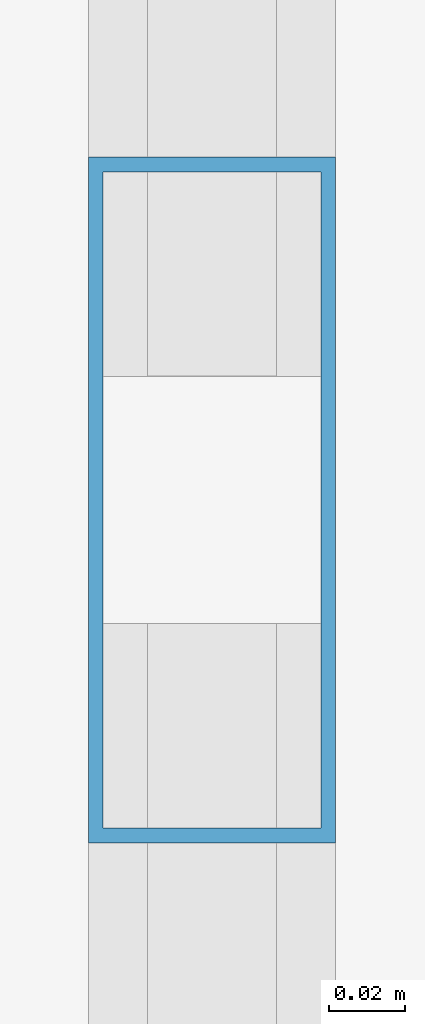
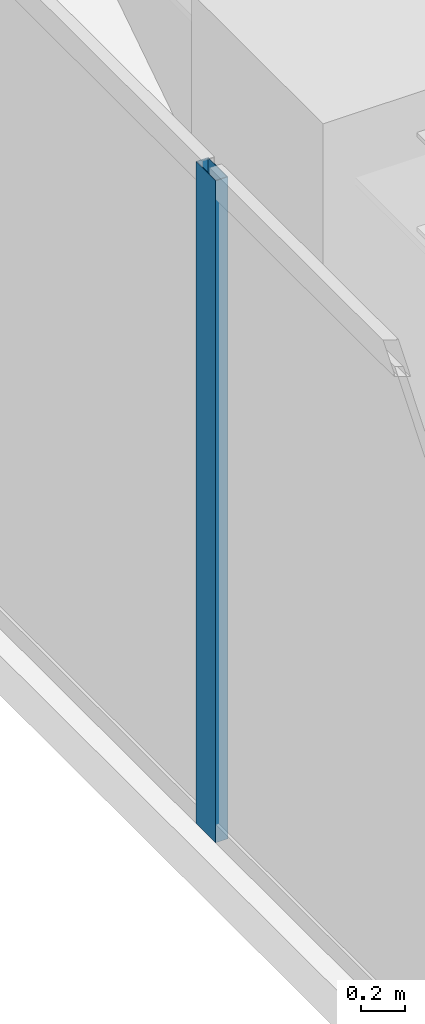
# One storey, part 13 of 30: 1 member, 1 element without a shape of its own.
"""IFC4 building model written with IfcOpenShell, lengths in metres."""

from ifc_helpers import new_model, si_unit, direction, frame, origin, origin_2d, place, context, subcontext, project, spatial, hollow_rectangle, extrude, material, layer, layer_set, material_profile, profile_set, type_object, element, aggregate, save


model = new_model("IFC4")

# Units and contexts
model_context = context("Model", 3, precision=1e-05, world=origin(), true_north=direction((0.0, 1.0)))
body_context = subcontext(model_context, "Body", "Model", "MODEL_VIEW")
ifc_project = project(units=[si_unit("LENGTHUNIT", "METRE"), si_unit("AREAUNIT", "SQUARE_METRE"), si_unit("VOLUMEUNIT", "CUBIC_METRE"), si_unit("PLANEANGLEUNIT", "RADIAN"), si_unit("MASSUNIT", "GRAM", prefix="KILO")], contexts=[model_context])

# Site, building, storey
site_placement = place(None, origin())
site = spatial("IfcSite", under=ifc_project, at=site_placement, CompositionType="ELEMENT")
building_placement = place(site_placement, origin())
building = spatial("IfcBuilding", under=site, at=building_placement, Name="Kiyonajd Concourse Tower", CompositionType="ELEMENT")
storey_placement = place(building_placement, frame((0.0, 0.0, 166.199951171875)))
storey = spatial("IfcBuildingStorey", under=building, at=storey_placement, Name="L42", CompositionType="ELEMENT", Elevation=166.199951171875)

# Curtain wall, member
ifc_material = material(Name="Thermally Broken Anodised Aluminium", Category="aluminium")
ifc_layer = layer(ifc_material, 0.179931640625)
ifc_layer_set = layer_set([ifc_layer], Name="Thermally Broken Anodised Aluminium")
curtain_wall_type = type_object("IfcCurtainWallType", Name="CW-SYS-03", PredefinedType="NOTDEFINED", material=ifc_layer_set)
curtain_wall_placement = place(storey_placement, origin())
curtain_wall = element("IfcCurtainWall", 1, at=curtain_wall_placement, inside=storey, type_object=curtain_wall_type, Name="L42 Unitised Curtain Wall CW3", PredefinedType="NOTDEFINED")
ifc_material_profile = material_profile(ifc_material, hollow_rectangle(XDim=0.06494140625, YDim=0.179931640625, WallThickness=0.00390625, at=origin_2d()), Name="MULL-65x180")
ifc_profile_set = profile_set([ifc_material_profile], Name="Thermally Broken Anodised Aluminium")
member_type = type_object("IfcMemberType", Name="MB-CW-MULL1", PredefinedType="MULLION", material=ifc_profile_set)
member_placement = place(storey_placement, frame((18.139892578125, 53.0146484375, 0.0), z_axis=(0.0, 0.0, 1.0), x_axis=(-1.0, 0.0, 0.0)))
member = element("IfcMember", 2, at=member_placement, type_object=member_type, Name="CW3 mullion 6", PredefinedType="MULLION", context=body_context, shape_type="SweptSolid", body=[
    extrude(hollow_rectangle(XDim=0.06494140625, YDim=0.179931640625, WallThickness=0.00390625, at=origin_2d()), origin(), (0.0, 0.0, 1.0), 3.679931640625),
])
aggregate(curtain_wall, [member])

save(model, "model.ifc")
